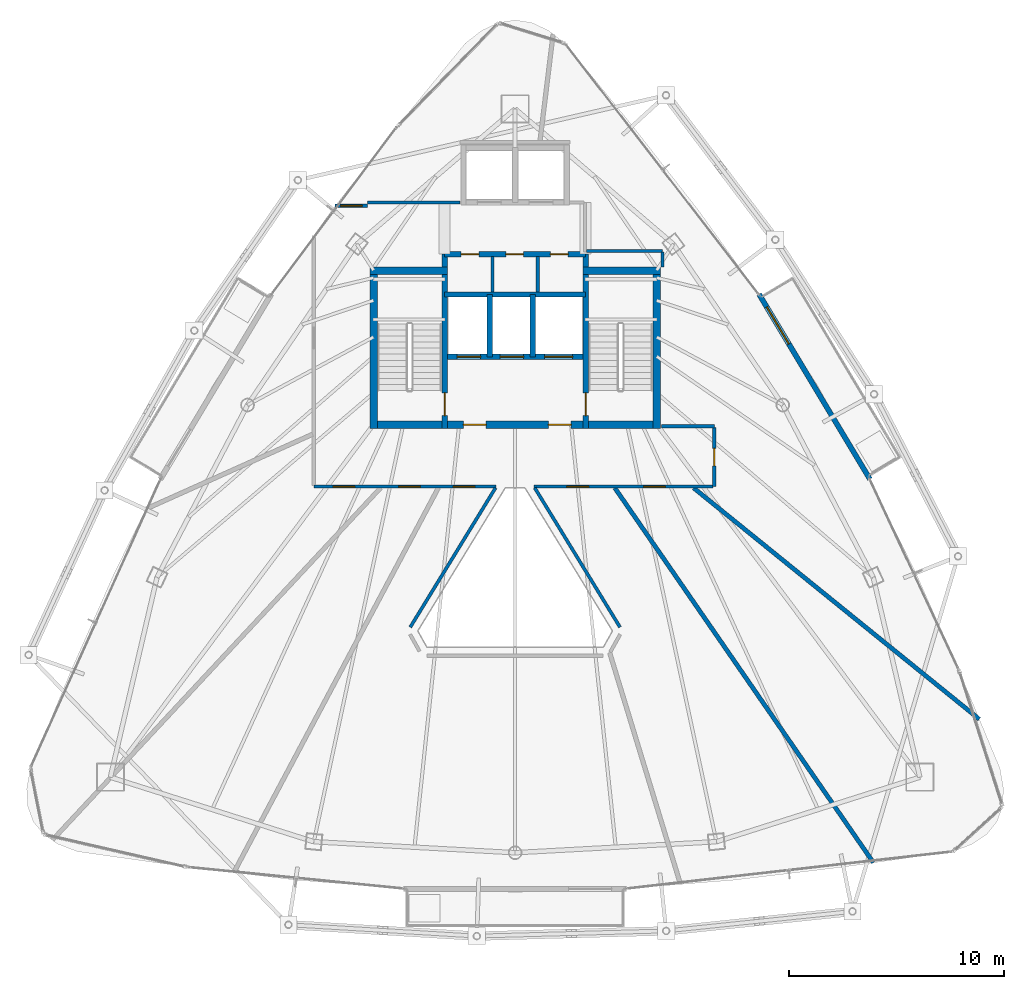
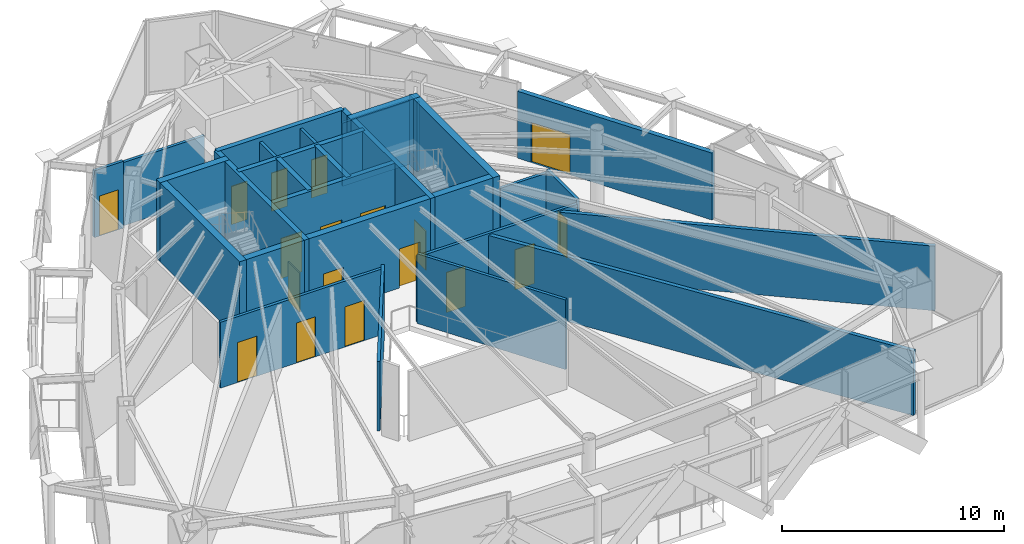
# One storey, part 21 of 25: 27 walls, 18 doors, 18 openings.
"""IFC4 building model written with IfcOpenShell, lengths in metres."""

from ifc_helpers import new_model, si_unit, direction, frame, frame_2d, origin, place, context, subcontext, project, spatial, rectangle, extrude, material, layer, layer_set, type_object, element, fill, save


model = new_model("IFC4")

# Units and contexts
model_context = context("Model", 3, precision=1e-05, world=origin(), true_north=direction((0.0, 1.0)))
body_context = subcontext(model_context, "Body", "Model", "MODEL_VIEW")
ifc_project = project(units=[si_unit("LENGTHUNIT", "METRE"), si_unit("AREAUNIT", "SQUARE_METRE"), si_unit("VOLUMEUNIT", "CUBIC_METRE"), si_unit("PLANEANGLEUNIT", "RADIAN"), si_unit("MASSUNIT", "GRAM", prefix="KILO")], contexts=[model_context])

# Site, building, storey
site_placement = place(None, origin())
site = spatial("IfcSite", under=ifc_project, at=site_placement, CompositionType="ELEMENT")
building_placement = place(site_placement, origin())
building = spatial("IfcBuilding", under=site, at=building_placement, Name="Orvanel Arch Residences", CompositionType="ELEMENT")
storey_placement = place(building_placement, frame((0.0, 0.0, 236.0)))
storey = spatial("IfcBuildingStorey", under=building, at=storey_placement, Name="L67", CompositionType="ELEMENT", Elevation=236.0)

# Wall, opening, door
ifc_material_1 = material(Name="Precast concrete N50 (50 MPa)", Category="concrete")
ifc_layer_1 = layer(ifc_material_1, 0.239990234375)
ifc_layer_set_1 = layer_set([ifc_layer_1], Name="Precast concrete N50 (50 MPa)")
wall_type_1 = type_object("IfcWallType", Name="EW-BAL-240", PredefinedType="SOLIDWALL", material=ifc_layer_set_1)
wall_1_placement = place(storey_placement, frame((49.48095703125, 24.198974609375, 0.0), z_axis=(0.0, 0.0, 1.0), x_axis=(-0.514277033492, 0.857624120942, 0.0)))
wall_1 = element("IfcWall", 1, at=wall_1_placement, inside=storey, type_object=wall_type_1, Name="L67 Balcony Threshold Wall Face 3", PredefinedType="SOLIDWALL", context=body_context, shape_type="SweptSolid", body=[
    extrude(rectangle(XDim=10.013916015625, YDim=0.239990234375, at=frame_2d((5.0068359375, 0.0))), origin(), (0.0, 0.0, 1.0), 3.674072265625),
])
opening_1_placement = place(wall_1_placement, frame((7.31689453125, 0.0, 0.0)))
opening_1 = element("IfcOpeningElement", 2, at=opening_1_placement, cuts=wall_1, Name="Opening DT-200", PredefinedType="OPENING", context=body_context, shape_type="SweptSolid", body=[
    extrude(rectangle(XDim=2.0, YDim=2.199951171875, at=frame_2d((1.0, 1.10009765625))), frame((0.0, 0.1298828125, 0.0), z_axis=(0.0, -1.0, 0.0), x_axis=(1.0, 0.0, 0.0)), (0.0, 0.0, 1.0), 0.260009765625),
])
ifc_material_2 = material(Name="Bronze-anodised aluminium AA6063-T6", Category="aluminium")
door_type_1 = type_object("IfcDoorType", Name="DR-TER-2000", OperationType="NOTDEFINED", PredefinedType="DOOR", material=ifc_material_2)
door_1_placement = place(opening_1_placement, origin())
door_1 = element("IfcDoor", 3, at=door_1_placement, inside=storey, type_object=door_type_1, Name="DR-L67-BAL-F3 L67 Planted Balcony Access Door Face 3", OperationType="SINGLE_SWING_RIGHT", OverallHeight=2.199951171875, OverallWidth=2.0, PredefinedType="DOOR", context=body_context, shape_type="SweptSolid", body=[
    extrude(rectangle(XDim=2.0, YDim=2.199951171875, at=frame_2d((1.0, 1.10009765625))), frame((0.0, 0.02490234375, 0.0), z_axis=(0.0, -1.0, 0.0), x_axis=(1.0, 0.0, 0.0)), (0.0, 0.0, 1.0), 0.050048828125),
])
fill(opening_1, door_1)

ifc_material_3 = material(Name="Concrete N50 (50 MPa)", Category="concrete")
ifc_layer_2 = layer(ifc_material_3, 0.25)
ifc_layer_set_2 = layer_set([ifc_layer_2], Name="Concrete N50 (50 MPa)")
wall_type_2 = type_object("IfcWallType", Name="SW-CORE-250", PredefinedType="SHEAR", material=ifc_layer_set_2)
wall_2_placement = place(storey_placement, frame((29.72509765625, 26.550048828125, 0.0), z_axis=(0.0, 0.0, 1.0), x_axis=(0.0, 1.0, 0.0)))
wall_2 = element("IfcWall", 4, at=wall_2_placement, inside=storey, type_object=wall_type_2, Name="L67 West Inner Core Spine Shear Wall", PredefinedType="SHEAR", context=body_context, shape_type="SweptSolid", body=[
    extrude(rectangle(XDim=8.099853515625, YDim=0.25, at=frame_2d((4.0498046875, 0.0))), origin(), (0.0, 0.0, 1.0), 4.35009765625),
])
opening_2_placement = place(wall_2_placement, frame((0.60009765625, 0.0, 0.0)))
opening_2 = element("IfcOpeningElement", 5, at=opening_2_placement, cuts=wall_2, Name="Opening DF-120", PredefinedType="OPENING", context=body_context, shape_type="SweptSolid", body=[
    extrude(rectangle(XDim=1.050048828125, YDim=2.14990234375, at=frame_2d((0.52490234375, 1.074951171875))), frame((0.0, 0.135009765625, 0.0), z_axis=(0.0, -1.0, 0.0), x_axis=(1.0, 0.0, 0.0)), (0.0, 0.0, 1.0), 0.27001953125),
])
ifc_material_4 = material(Name="Galvanised steel fire-resisting door assembly", Category="steel")
door_type_2 = type_object("IfcDoorType", Name="DR-FD120-1050", OperationType="NOTDEFINED", PredefinedType="DOOR", material=ifc_material_4)
door_2_placement = place(opening_2_placement, origin())
door_2 = element("IfcDoor", 6, at=door_2_placement, inside=storey, type_object=door_type_2, Name="DR-L67-ST1 L67 Stair 1 Fire Door", OperationType="SINGLE_SWING_LEFT", OverallHeight=2.14990234375, OverallWidth=1.050048828125, PredefinedType="DOOR", context=body_context, shape_type="SweptSolid", body=[
    extrude(rectangle(XDim=1.050048828125, YDim=2.14990234375, at=frame_2d((0.52490234375, 1.074951171875))), frame((0.0, 0.02490234375, 0.0), z_axis=(0.0, -1.0, 0.0), x_axis=(1.0, 0.0, 0.0)), (0.0, 0.0, 1.0), 0.050048828125),
])
fill(opening_2, door_2)

wall_3_placement = place(storey_placement, frame((36.27490234375, 26.550048828125, 0.0), z_axis=(0.0, 0.0, 1.0), x_axis=(0.0, 1.0, 0.0)))
wall_3 = element("IfcWall", 7, at=wall_3_placement, inside=storey, type_object=wall_type_2, Name="L67 East Inner Core Spine Shear Wall", PredefinedType="SHEAR", context=body_context, shape_type="SweptSolid", body=[
    extrude(rectangle(XDim=8.099853515625, YDim=0.25, at=frame_2d((4.0498046875, 0.0))), origin(), (0.0, 0.0, 1.0), 4.35009765625),
])
opening_3_placement = place(wall_3_placement, frame((0.60009765625, 0.0, 0.0)))
opening_3 = element("IfcOpeningElement", 8, at=opening_3_placement, cuts=wall_3, Name="Opening DF-120", PredefinedType="OPENING", context=body_context, shape_type="SweptSolid", body=[
    extrude(rectangle(XDim=1.050048828125, YDim=2.14990234375, at=frame_2d((0.52490234375, 1.074951171875))), frame((0.0, 0.135009765625, 0.0), z_axis=(0.0, -1.0, 0.0), x_axis=(1.0, 0.0, 0.0)), (0.0, 0.0, 1.0), 0.27001953125),
])
door_3_placement = place(opening_3_placement, origin())
door_3 = element("IfcDoor", 9, at=door_3_placement, inside=storey, type_object=door_type_2, Name="DR-L67-ST2 L67 Stair 2 Fire Door", OperationType="SINGLE_SWING_RIGHT", OverallHeight=2.14990234375, OverallWidth=1.050048828125, PredefinedType="DOOR", context=body_context, shape_type="SweptSolid", body=[
    extrude(rectangle(XDim=1.050048828125, YDim=2.14990234375, at=frame_2d((0.52490234375, 1.074951171875))), frame((0.0, 0.02490234375, 0.0), z_axis=(0.0, -1.0, 0.0), x_axis=(1.0, 0.0, 0.0)), (0.0, 0.0, 1.0), 0.050048828125),
])
fill(opening_3, door_3)

# Wall, openings, doors
wall_4_placement = place(storey_placement, frame((36.27490234375, 29.875, 0.0), z_axis=(0.0, 0.0, 1.0), x_axis=(-1.0, 0.0, 0.0)))
wall_4 = element("IfcWall", 10, at=wall_4_placement, inside=storey, type_object=wall_type_2, Name="L67 Emergency Lift Front Core Shear Wall", PredefinedType="SHEAR", context=body_context, shape_type="SweptSolid", body=[
    extrude(rectangle(XDim=6.5498046875, YDim=0.25, at=frame_2d((3.27490234375, 0.0))), origin(), (0.0, 0.0, 1.0), 4.35009765625),
])
opening_4_placement = place(wall_4_placement, frame((4.875, 0.0, 0.0)))
opening_4 = element("IfcOpeningElement", 11, at=opening_4_placement, cuts=wall_4, Name="Opening LD-110", PredefinedType="OPENING", context=body_context, shape_type="SweptSolid", body=[
    extrude(rectangle(XDim=1.10009765625, YDim=2.199951171875, at=frame_2d((0.550048828125, 1.10009765625))), frame((0.0, 0.135009765625, 0.0), z_axis=(0.0, -1.0, 0.0), x_axis=(1.0, 0.0, 0.0)), (0.0, 0.0, 1.0), 0.27001953125),
])
opening_5_placement = place(wall_4_placement, frame((2.875, 0.0, 0.0)))
opening_5 = element("IfcOpeningElement", 12, at=opening_5_placement, cuts=wall_4, Name="Opening LD-110", PredefinedType="OPENING", context=body_context, shape_type="SweptSolid", body=[
    extrude(rectangle(XDim=1.10009765625, YDim=2.199951171875, at=frame_2d((0.550048828125, 1.10009765625))), frame((0.0, 0.135009765625, 0.0), z_axis=(0.0, -1.0, 0.0), x_axis=(1.0, 0.0, 0.0)), (0.0, 0.0, 1.0), 0.27001953125),
])
opening_6_placement = place(wall_4_placement, frame((0.60009765625, 0.0, 0.0)))
opening_6 = element("IfcOpeningElement", 13, at=opening_6_placement, cuts=wall_4, Name="Opening LD-130", PredefinedType="OPENING", context=body_context, shape_type="SweptSolid", body=[
    extrude(rectangle(XDim=1.300048828125, YDim=2.199951171875, at=frame_2d((0.64990234375, 1.10009765625))), frame((0.0, 0.135009765625, 0.0), z_axis=(0.0, -1.0, 0.0), x_axis=(1.0, 0.0, 0.0)), (0.0, 0.0, 1.0), 0.27001953125),
])
door_type_3 = type_object("IfcDoorType", Name="DR-LFT-1100", OperationType="NOTDEFINED", PredefinedType="DOOR", material=ifc_material_4)
door_4_placement = place(opening_4_placement, origin())
door_4 = element("IfcDoor", 14, at=door_4_placement, inside=storey, type_object=door_type_3, Name="LD-F1-L67 L67 Lift F1 Sliding Landing Door", OperationType="DOUBLE_DOOR_SLIDING", OverallHeight=2.199951171875, OverallWidth=1.10009765625, PredefinedType="DOOR", context=body_context, shape_type="SweptSolid", body=[
    extrude(rectangle(XDim=1.10009765625, YDim=2.199951171875, at=frame_2d((0.550048828125, 1.10009765625))), frame((0.0, 0.02490234375, 0.0), z_axis=(0.0, -1.0, 0.0), x_axis=(1.0, 0.0, 0.0)), (0.0, 0.0, 1.0), 0.050048828125),
])
fill(opening_4, door_4)
door_5_placement = place(opening_5_placement, origin())
door_5 = element("IfcDoor", 15, at=door_5_placement, inside=storey, type_object=door_type_3, Name="LD-F2-L67 L67 Lift F2 Sliding Landing Door", OperationType="DOUBLE_DOOR_SLIDING", OverallHeight=2.199951171875, OverallWidth=1.10009765625, PredefinedType="DOOR", context=body_context, shape_type="SweptSolid", body=[
    extrude(rectangle(XDim=1.10009765625, YDim=2.199951171875, at=frame_2d((0.550048828125, 1.10009765625))), frame((0.0, 0.02490234375, 0.0), z_axis=(0.0, -1.0, 0.0), x_axis=(1.0, 0.0, 0.0)), (0.0, 0.0, 1.0), 0.050048828125),
])
fill(opening_5, door_5)
door_type_4 = type_object("IfcDoorType", Name="DR-LFT-1300", OperationType="NOTDEFINED", PredefinedType="DOOR", material=ifc_material_4)
door_6_placement = place(opening_6_placement, origin())
door_6 = element("IfcDoor", 16, at=door_6_placement, inside=storey, type_object=door_type_4, Name="LD-G1-L67 L67 Lift G1 Sliding Landing Door", OperationType="DOUBLE_DOOR_SLIDING", OverallHeight=2.199951171875, OverallWidth=1.300048828125, PredefinedType="DOOR", context=body_context, shape_type="SweptSolid", body=[
    extrude(rectangle(XDim=1.300048828125, YDim=2.199951171875, at=frame_2d((0.64990234375, 1.10009765625))), frame((0.0, 0.02490234375, 0.0), z_axis=(0.0, -1.0, 0.0), x_axis=(1.0, 0.0, 0.0)), (0.0, 0.0, 1.0), 0.050048828125),
])
fill(opening_6, door_6)

# Walls
wall_5_placement = place(storey_placement, frame((29.72509765625, 32.77490234375, 0.0), z_axis=(0.0, 0.0, 1.0), x_axis=(1.0, 0.0, 0.0)))
element("IfcWall", 17, at=wall_5_placement, inside=storey, type_object=wall_type_2, Name="L67 Emergency Lift Back Core Shear Wall", PredefinedType="SHEAR", context=body_context, shape_type="SweptSolid", body=[
    extrude(rectangle(XDim=6.5498046875, YDim=0.25, at=frame_2d((3.27490234375, 0.0))), origin(), (0.0, 0.0, 1.0), 4.35009765625),
])
for number, where, z_axis, x_axis, name in (
    (18, (31.824951171875, 29.875, 0.0), (0.0, 0.0, 1.0), (0.0, 1.0, 0.0), "L67 Emergency Lift Inter-Shaft Wall F12"),
    (19, (33.824951171875, 29.875, 0.0), (0.0, 0.0, 1.0), (0.0, 1.0, 0.0), "L67 Emergency Lift Inter-Shaft Wall F2G"),
):
    element("IfcWall", number, at=place(storey_placement, frame(where, z_axis=z_axis, x_axis=x_axis)), inside=storey, type_object=wall_type_2, Name=name, PredefinedType="SHEAR", context=body_context, shape_type="SweptSolid", body=[
        extrude(rectangle(XDim=2.89990234375, YDim=0.25, at=frame_2d((1.449951171875, 0.0))), origin(), (0.0, 0.0, 1.0), 4.35009765625),
    ])

# Wall, openings, doors
wall_6_placement = place(storey_placement, frame((29.72509765625, 34.64990234375, 0.0), z_axis=(0.0, 0.0, 1.0), x_axis=(1.0, 0.0, 0.0)))
wall_6 = element("IfcWall", 20, at=wall_6_placement, inside=storey, type_object=wall_type_2, Name="L67 Core Service Band North Shear Wall", PredefinedType="SHEAR", context=body_context, shape_type="SweptSolid", body=[
    extrude(rectangle(XDim=6.5498046875, YDim=0.25, at=frame_2d((3.27490234375, 0.0))), origin(), (0.0, 0.0, 1.0), 4.35009765625),
])
opening_7_placement = place(wall_6_placement, frame((0.764892578125, 0.0, 0.0)))
opening_7 = element("IfcOpeningElement", 21, at=opening_7_placement, cuts=wall_6, Name="Opening DS-082", PredefinedType="OPENING", context=body_context, shape_type="SweptSolid", body=[
    extrude(rectangle(XDim=0.820068359375, YDim=2.10009765625, at=frame_2d((0.41015625, 1.050048828125))), frame((0.0, 0.135009765625, 0.0), z_axis=(0.0, -1.0, 0.0), x_axis=(1.0, 0.0, 0.0)), (0.0, 0.0, 1.0), 0.27001953125),
])
opening_8_placement = place(wall_6_placement, frame((2.840087890625, 0.0, 0.0)))
opening_8 = element("IfcOpeningElement", 22, at=opening_8_placement, cuts=wall_6, Name="Opening DS-082", PredefinedType="OPENING", context=body_context, shape_type="SweptSolid", body=[
    extrude(rectangle(XDim=0.820068359375, YDim=2.10009765625, at=frame_2d((0.41015625, 1.050048828125))), frame((0.0, 0.135009765625, 0.0), z_axis=(0.0, -1.0, 0.0), x_axis=(1.0, 0.0, 0.0)), (0.0, 0.0, 1.0), 0.27001953125),
])
opening_9_placement = place(wall_6_placement, frame((4.9150390625, 0.0, 0.0)))
opening_9 = element("IfcOpeningElement", 23, at=opening_9_placement, cuts=wall_6, Name="Opening DS-082", PredefinedType="OPENING", context=body_context, shape_type="SweptSolid", body=[
    extrude(rectangle(XDim=0.820068359375, YDim=2.10009765625, at=frame_2d((0.41015625, 1.050048828125))), frame((0.0, 0.135009765625, 0.0), z_axis=(0.0, -1.0, 0.0), x_axis=(1.0, 0.0, 0.0)), (0.0, 0.0, 1.0), 0.27001953125),
])
door_type_5 = type_object("IfcDoorType", Name="DR-SVC-820", OperationType="NOTDEFINED", PredefinedType="DOOR", material=ifc_material_4)
door_7_placement = place(opening_7_placement, origin())
door_7 = element("IfcDoor", 24, at=door_7_placement, inside=storey, type_object=door_type_5, Name="DR-L67-CSVC-1 L67 Housekeeping Store Door", OperationType="SINGLE_SWING_LEFT", OverallHeight=2.10009765625, OverallWidth=0.820068359375, PredefinedType="DOOR", context=body_context, shape_type="SweptSolid", body=[
    extrude(rectangle(XDim=0.820068359375, YDim=2.10009765625, at=frame_2d((0.41015625, 1.050048828125))), frame((0.0, 0.02490234375, 0.0), z_axis=(0.0, -1.0, 0.0), x_axis=(1.0, 0.0, 0.0)), (0.0, 0.0, 1.0), 0.050048828125),
])
fill(opening_7, door_7)
door_8_placement = place(opening_8_placement, origin())
door_8 = element("IfcDoor", 25, at=door_8_placement, inside=storey, type_object=door_type_5, Name="DR-L67-CSVC-2 L67 Cleaner's Store Door", OperationType="SINGLE_SWING_LEFT", OverallHeight=2.10009765625, OverallWidth=0.820068359375, PredefinedType="DOOR", context=body_context, shape_type="SweptSolid", body=[
    extrude(rectangle(XDim=0.820068359375, YDim=2.10009765625, at=frame_2d((0.41015625, 1.050048828125))), frame((0.0, 0.02490234375, 0.0), z_axis=(0.0, -1.0, 0.0), x_axis=(1.0, 0.0, 0.0)), (0.0, 0.0, 1.0), 0.050048828125),
])
fill(opening_8, door_8)
door_9_placement = place(opening_9_placement, origin())
door_9 = element("IfcDoor", 26, at=door_9_placement, inside=storey, type_object=door_type_5, Name="DR-L67-CSVC-3 L67 Comms Riser Store Door", OperationType="SINGLE_SWING_LEFT", OverallHeight=2.10009765625, OverallWidth=0.820068359375, PredefinedType="DOOR", context=body_context, shape_type="SweptSolid", body=[
    extrude(rectangle(XDim=0.820068359375, YDim=2.10009765625, at=frame_2d((0.41015625, 1.050048828125))), frame((0.0, 0.02490234375, 0.0), z_axis=(0.0, -1.0, 0.0), x_axis=(1.0, 0.0, 0.0)), (0.0, 0.0, 1.0), 0.050048828125),
])
fill(opening_9, door_9)

ifc_layer_3 = layer(ifc_material_3, 0.35009765625)
ifc_layer_set_3 = layer_set([ifc_layer_3], Name="Concrete N50 (50 MPa)")
wall_type_3 = type_object("IfcWallType", Name="SW-CORE-350", PredefinedType="SHEAR", material=ifc_layer_set_3)
wall_7_placement = place(storey_placement, frame((26.25, 26.72509765625, 0.0), z_axis=(0.0, 0.0, 1.0), x_axis=(1.0, 0.0, 0.0)))
wall_7 = element("IfcWall", 27, at=wall_7_placement, inside=storey, type_object=wall_type_3, Name="L67 South Core Shear Wall", PredefinedType="SHEAR", context=body_context, shape_type="SweptSolid", body=[
    extrude(rectangle(XDim=13.5, YDim=0.35009765625, at=frame_2d((6.75, 0.0))), origin(), (0.0, 0.0, 1.0), 4.35009765625),
])
opening_10_placement = place(wall_7_placement, frame((4.35009765625, 0.0, 0.0)))
opening_10 = element("IfcOpeningElement", 28, at=opening_10_placement, cuts=wall_7, Name="Opening DF-060", PredefinedType="OPENING", context=body_context, shape_type="SweptSolid", body=[
    extrude(rectangle(XDim=1.050048828125, YDim=2.14990234375, at=frame_2d((0.52490234375, 1.074951171875))), frame((0.0, 0.18505859375, 0.0), z_axis=(0.0, -1.0, 0.0), x_axis=(1.0, 0.0, 0.0)), (0.0, 0.0, 1.0), 0.3701171875),
])
opening_11_placement = place(wall_7_placement, frame((8.300048828125, 0.0, 0.0)))
opening_11 = element("IfcOpeningElement", 29, at=opening_11_placement, cuts=wall_7, Name="Opening DF-060", PredefinedType="OPENING", context=body_context, shape_type="SweptSolid", body=[
    extrude(rectangle(XDim=1.050048828125, YDim=2.14990234375, at=frame_2d((0.52490234375, 1.074951171875))), frame((0.0, 0.18505859375, 0.0), z_axis=(0.0, -1.0, 0.0), x_axis=(1.0, 0.0, 0.0)), (0.0, 0.0, 1.0), 0.3701171875),
])
door_type_6 = type_object("IfcDoorType", Name="DR-FD60-1050", OperationType="NOTDEFINED", PredefinedType="DOOR", material=ifc_material_4)
door_10_placement = place(opening_10_placement, origin())
door_10 = element("IfcDoor", 30, at=door_10_placement, inside=storey, type_object=door_type_6, Name="DR-L67-FFL-W L67 West Smoke Lobby Door", OperationType="SINGLE_SWING_LEFT", OverallHeight=2.14990234375, OverallWidth=1.050048828125, PredefinedType="DOOR", context=body_context, shape_type="SweptSolid", body=[
    extrude(rectangle(XDim=1.050048828125, YDim=2.14990234375, at=frame_2d((0.52490234375, 1.074951171875))), frame((0.0, 0.02490234375, 0.0), z_axis=(0.0, -1.0, 0.0), x_axis=(1.0, 0.0, 0.0)), (0.0, 0.0, 1.0), 0.050048828125),
])
fill(opening_10, door_10)
door_11_placement = place(opening_11_placement, origin())
door_11 = element("IfcDoor", 31, at=door_11_placement, inside=storey, type_object=door_type_6, Name="DR-L67-FFL-E L67 East Smoke Lobby Door", OperationType="SINGLE_SWING_RIGHT", OverallHeight=2.14990234375, OverallWidth=1.050048828125, PredefinedType="DOOR", context=body_context, shape_type="SweptSolid", body=[
    extrude(rectangle(XDim=1.050048828125, YDim=2.14990234375, at=frame_2d((0.52490234375, 1.074951171875))), frame((0.0, 0.02490234375, 0.0), z_axis=(0.0, -1.0, 0.0), x_axis=(1.0, 0.0, 0.0)), (0.0, 0.0, 1.0), 0.050048828125),
])
fill(opening_11, door_11)

# Walls
wall_8_placement = place(storey_placement, frame((26.425048828125, 26.550048828125, 0.0), z_axis=(0.0, 0.0, 1.0), x_axis=(0.0, 1.0, 0.0)))
element("IfcWall", 32, at=wall_8_placement, inside=storey, type_object=wall_type_3, Name="L67 West Stair Shear Wall", PredefinedType="SHEAR", context=body_context, shape_type="SweptSolid", body=[
    extrude(rectangle(XDim=7.5, YDim=0.35009765625, at=frame_2d((3.75, 0.0))), origin(), (0.0, 0.0, 1.0), 4.35009765625),
])
wall_9_placement = place(storey_placement, frame((26.25, 33.875, 0.0), z_axis=(0.0, 0.0, 1.0), x_axis=(1.0, 0.0, 0.0)))
element("IfcWall", 33, at=wall_9_placement, inside=storey, type_object=wall_type_3, Name="L67 West Stair North Shear Wall", PredefinedType="SHEAR", context=body_context, shape_type="SweptSolid", body=[
    extrude(rectangle(XDim=3.60009765625, YDim=0.35009765625, at=frame_2d((1.800048828125, 0.0))), origin(), (0.0, 0.0, 1.0), 4.35009765625),
])
wall_10_placement = place(storey_placement, frame((39.574951171875, 26.550048828125, 0.0), z_axis=(0.0, 0.0, 1.0), x_axis=(0.0, 1.0, 0.0)))
element("IfcWall", 34, at=wall_10_placement, inside=storey, type_object=wall_type_3, Name="L67 East Stair Shear Wall", PredefinedType="SHEAR", context=body_context, shape_type="SweptSolid", body=[
    extrude(rectangle(XDim=7.5, YDim=0.35009765625, at=frame_2d((3.75, 0.0))), origin(), (0.0, 0.0, 1.0), 4.35009765625),
])
wall_11_placement = place(storey_placement, frame((36.14990234375, 33.875, 0.0), z_axis=(0.0, 0.0, 1.0), x_axis=(1.0, 0.0, 0.0)))
element("IfcWall", 35, at=wall_11_placement, inside=storey, type_object=wall_type_3, Name="L67 East Stair North Shear Wall", PredefinedType="SHEAR", context=body_context, shape_type="SweptSolid", body=[
    extrude(rectangle(XDim=3.60009765625, YDim=0.35009765625, at=frame_2d((1.800048828125, 0.0))), origin(), (0.0, 0.0, 1.0), 4.35009765625),
])

# Wall, openings, doors
ifc_material_5 = material(Name="Fire-rated plasterboard lined steel stud partition", Category="steel")
ifc_layer_4 = layer(ifc_material_5, 0.14990234375)
ifc_layer_set_4 = layer_set([ifc_layer_4], Name="Fire-rated plasterboard lined steel stud partition")
wall_type_4 = type_object("IfcWallType", Name="W-COR-150", PredefinedType="PARTITIONING", material=ifc_layer_set_4)
wall_12_placement = place(storey_placement, frame((32.117919921875, 23.85009765625, 0.0), z_axis=(0.0, 0.0, 1.0), x_axis=(-1.0, 0.0, 0.0)))
wall_12 = element("IfcWall", 36, at=wall_12_placement, inside=storey, type_object=wall_type_4, Name="L67 Community Corridor Wall", PredefinedType="PARTITIONING", context=body_context, shape_type="SweptSolid", body=[
    extrude(rectangle(XDim=8.468017578125, YDim=0.14990234375, at=frame_2d((4.23388671875, 0.0))), origin(), (0.0, 0.0, 1.0), 3.614990234375),
])
opening_12_placement = place(wall_12_placement, frame((0.991943359375, 0.0, 0.0)))
opening_12 = element("IfcOpeningElement", 37, at=opening_12_placement, cuts=wall_12, Name="Opening DP-100", PredefinedType="OPENING", context=body_context, shape_type="SweptSolid", body=[
    extrude(rectangle(XDim=1.0, YDim=2.199951171875, at=frame_2d((0.5, 1.10009765625))), frame((0.0, 0.0849609375, 0.0), z_axis=(0.0, -1.0, 0.0), x_axis=(1.0, 0.0, 0.0)), (0.0, 0.0, 1.0), 0.169921875),
])
opening_13_placement = place(wall_12_placement, frame((3.52490234375, 0.0, 0.0)))
opening_13 = element("IfcOpeningElement", 38, at=opening_13_placement, cuts=wall_12, Name="Opening DP-100", PredefinedType="OPENING", context=body_context, shape_type="SweptSolid", body=[
    extrude(rectangle(XDim=1.0, YDim=2.199951171875, at=frame_2d((0.5, 1.10009765625))), frame((0.0, 0.0849609375, 0.0), z_axis=(0.0, -1.0, 0.0), x_axis=(1.0, 0.0, 0.0)), (0.0, 0.0, 1.0), 0.169921875),
])
opening_14_placement = place(wall_12_placement, frame((6.574951171875, 0.0, 0.0)))
opening_14 = element("IfcOpeningElement", 39, at=opening_14_placement, cuts=wall_12, Name="Opening DP-100", PredefinedType="OPENING", context=body_context, shape_type="SweptSolid", body=[
    extrude(rectangle(XDim=1.0, YDim=2.199951171875, at=frame_2d((0.5, 1.10009765625))), frame((0.0, 0.0849609375, 0.0), z_axis=(0.0, -1.0, 0.0), x_axis=(1.0, 0.0, 0.0)), (0.0, 0.0, 1.0), 0.169921875),
])
ifc_material_6 = material(Name="Solid-core European oak veneer fire door leaf", Category="wood")
door_type_7 = type_object("IfcDoorType", Name="DR-POD-1000", OperationType="NOTDEFINED", PredefinedType="DOOR", material=ifc_material_6)
door_12_placement = place(opening_12_placement, origin())
door_12 = element("IfcDoor", 40, at=door_12_placement, inside=storey, type_object=door_type_7, Name="DR-L67-KIT-1 L67 Atelier Pantry Kitchen Door", OperationType="SINGLE_SWING_LEFT", OverallHeight=2.199951171875, OverallWidth=1.0, PredefinedType="DOOR", context=body_context, shape_type="SweptSolid", body=[
    extrude(rectangle(XDim=1.0, YDim=2.199951171875, at=frame_2d((0.5, 1.10009765625))), frame((0.0, 0.02490234375, 0.0), z_axis=(0.0, -1.0, 0.0), x_axis=(1.0, 0.0, 0.0)), (0.0, 0.0, 1.0), 0.050048828125),
])
fill(opening_12, door_12)
door_13_placement = place(opening_13_placement, origin())
door_13 = element("IfcDoor", 41, at=door_13_placement, inside=storey, type_object=door_type_7, Name="DR-L67-STR-4 L67 Archive Collection Store Door", OperationType="SINGLE_SWING_LEFT", OverallHeight=2.199951171875, OverallWidth=1.0, PredefinedType="DOOR", context=body_context, shape_type="SweptSolid", body=[
    extrude(rectangle(XDim=1.0, YDim=2.199951171875, at=frame_2d((0.5, 1.10009765625))), frame((0.0, 0.02490234375, 0.0), z_axis=(0.0, -1.0, 0.0), x_axis=(1.0, 0.0, 0.0)), (0.0, 0.0, 1.0), 0.050048828125),
])
fill(opening_13, door_13)
door_14_placement = place(opening_14_placement, origin())
door_14 = element("IfcDoor", 42, at=door_14_placement, inside=storey, type_object=door_type_7, Name="DR-L67-RET-6 L67 Artisan Craft Showroom Door", OperationType="SINGLE_SWING_LEFT", OverallHeight=2.199951171875, OverallWidth=1.0, PredefinedType="DOOR", context=body_context, shape_type="SweptSolid", body=[
    extrude(rectangle(XDim=1.0, YDim=2.199951171875, at=frame_2d((0.5, 1.10009765625))), frame((0.0, 0.02490234375, 0.0), z_axis=(0.0, -1.0, 0.0), x_axis=(1.0, 0.0, 0.0)), (0.0, 0.0, 1.0), 0.050048828125),
])
fill(opening_14, door_14)

# Wall, opening, door
wall_13_placement = place(storey_placement, frame((24.635986328125, 36.89990234375, 0.0), z_axis=(0.0, 0.0, 1.0), x_axis=(1.0, 0.0, 0.0)))
wall_13 = element("IfcWall", 43, at=wall_13_placement, inside=storey, type_object=wall_type_4, Name="L67 Community Corridor Wall", PredefinedType="PARTITIONING", context=body_context, shape_type="SweptSolid", body=[
    extrude(rectangle(XDim=1.513916015625, YDim=0.14990234375, at=frame_2d((0.7568359375, 0.0))), origin(), (0.0, 0.0, 1.0), 3.6689453125),
])
opening_15_placement = place(wall_13_placement, frame((0.257080078125, 0.0, 0.0)))
opening_15 = element("IfcOpeningElement", 44, at=opening_15_placement, cuts=wall_13, Name="Opening DP-100", PredefinedType="OPENING", context=body_context, shape_type="SweptSolid", body=[
    extrude(rectangle(XDim=1.0, YDim=2.199951171875, at=frame_2d((0.5, 1.10009765625))), frame((0.0, 0.0849609375, 0.0), z_axis=(0.0, -1.0, 0.0), x_axis=(1.0, 0.0, 0.0)), (0.0, 0.0, 1.0), 0.169921875),
])
door_15_placement = place(opening_15_placement, origin())
door_15 = element("IfcDoor", 45, at=door_15_placement, inside=storey, type_object=door_type_7, Name="DR-L67-CAR-3 L67 Wellness Consulting Suite Door", OperationType="SINGLE_SWING_LEFT", OverallHeight=2.199951171875, OverallWidth=1.0, PredefinedType="DOOR", context=body_context, shape_type="SweptSolid", body=[
    extrude(rectangle(XDim=1.0, YDim=2.199951171875, at=frame_2d((0.5, 1.10009765625))), frame((0.0, 0.02490234375, 0.0), z_axis=(0.0, -1.0, 0.0), x_axis=(1.0, 0.0, 0.0)), (0.0, 0.0, 1.0), 0.050048828125),
])
fill(opening_15, door_15)

# Wall
wall_14_placement = place(storey_placement, frame((39.7900390625, 26.64990234375, 0.0), z_axis=(0.0, 0.0, 1.0), x_axis=(1.0, 0.0, 0.0)))
element("IfcWall", 46, at=wall_14_placement, inside=storey, type_object=wall_type_4, Name="L67 Community Corridor Wall", PredefinedType="PARTITIONING", context=body_context, shape_type="SweptSolid", body=[
    extrude(rectangle(XDim=2.4599609375, YDim=0.14990234375, at=frame_2d((1.22998046875, 0.0))), origin(), (0.0, 0.0, 1.0), 3.614990234375),
])

# Wall, opening, door
wall_15_placement = place(storey_placement, frame((42.25, 26.590087890625, 0.0), z_axis=(0.0, 0.0, 1.0), x_axis=(0.0, -1.0, 0.0)))
wall_15 = element("IfcWall", 47, at=wall_15_placement, inside=storey, type_object=wall_type_4, Name="L67 Community Corridor Wall", PredefinedType="PARTITIONING", context=body_context, shape_type="SweptSolid", body=[
    extrude(rectangle(XDim=2.739990234375, YDim=0.14990234375, at=frame_2d((1.3701171875, 0.0))), origin(), (0.0, 0.0, 1.0), 3.822998046875),
])
opening_16_placement = place(wall_15_placement, frame((0.9599609375, 0.0, 0.0)))
opening_16 = element("IfcOpeningElement", 48, at=opening_16_placement, cuts=wall_15, Name="Opening DW-082", PredefinedType="OPENING", context=body_context, shape_type="SweptSolid", body=[
    extrude(rectangle(XDim=0.820068359375, YDim=2.10009765625, at=frame_2d((0.41015625, 1.050048828125))), frame((0.0, 0.0849609375, 0.0), z_axis=(0.0, -1.0, 0.0), x_axis=(1.0, 0.0, 0.0)), (0.0, 0.0, 1.0), 0.169921875),
])
door_type_8 = type_object("IfcDoorType", Name="DR-WET-820", OperationType="NOTDEFINED", PredefinedType="DOOR", material=ifc_material_6)
door_16_placement = place(opening_16_placement, origin())
door_16 = element("IfcDoor", 49, at=door_16_placement, inside=storey, type_object=door_type_8, Name="DR-L67-WC-0 L67 Accessible Restrooms Door", OperationType="SINGLE_SWING_LEFT", OverallHeight=2.10009765625, OverallWidth=0.820068359375, PredefinedType="DOOR", context=body_context, shape_type="SweptSolid", body=[
    extrude(rectangle(XDim=0.820068359375, YDim=2.10009765625, at=frame_2d((0.41015625, 1.050048828125))), frame((0.0, 0.02490234375, 0.0), z_axis=(0.0, -1.0, 0.0), x_axis=(1.0, 0.0, 0.0)), (0.0, 0.0, 1.0), 0.050048828125),
])
fill(opening_16, door_16)

# Wall, openings, doors
wall_16_placement = place(storey_placement, frame((42.18994140625, 23.85009765625, 0.0), z_axis=(0.0, 0.0, 1.0), x_axis=(-1.0, 0.0, 0.0)))
wall_16 = element("IfcWall", 50, at=wall_16_placement, inside=storey, type_object=wall_type_4, Name="L67 Community Corridor Wall", PredefinedType="PARTITIONING", context=body_context, shape_type="SweptSolid", body=[
    extrude(rectangle(XDim=8.307861328125, YDim=0.14990234375, at=frame_2d((4.15380859375, 0.0))), origin(), (0.0, 0.0, 1.0), 3.614990234375),
])
opening_17_placement = place(wall_16_placement, frame((5.781005859375, 0.0, 0.0)))
opening_17 = element("IfcOpeningElement", 51, at=opening_17_placement, cuts=wall_16, Name="Opening DP-100", PredefinedType="OPENING", context=body_context, shape_type="SweptSolid", body=[
    extrude(rectangle(XDim=1.0, YDim=2.199951171875, at=frame_2d((0.5, 1.10009765625))), frame((0.0, 0.0849609375, 0.0), z_axis=(0.0, -1.0, 0.0), x_axis=(1.0, 0.0, 0.0)), (0.0, 0.0, 1.0), 0.169921875),
])
opening_18_placement = place(wall_16_placement, frame((2.221923828125, 0.0, 0.0)))
opening_18 = element("IfcOpeningElement", 52, at=opening_18_placement, cuts=wall_16, Name="Opening DP-100", PredefinedType="OPENING", context=body_context, shape_type="SweptSolid", body=[
    extrude(rectangle(XDim=1.0, YDim=2.199951171875, at=frame_2d((0.5, 1.10009765625))), frame((0.0, 0.0849609375, 0.0), z_axis=(0.0, -1.0, 0.0), x_axis=(1.0, 0.0, 0.0)), (0.0, 0.0, 1.0), 0.169921875),
])
door_17_placement = place(opening_17_placement, origin())
door_17 = element("IfcDoor", 53, at=door_17_placement, inside=storey, type_object=door_type_7, Name="DR-L67-LNG-5 L67 Resident Horizon Lounge Door", OperationType="SINGLE_SWING_LEFT", OverallHeight=2.199951171875, OverallWidth=1.0, PredefinedType="DOOR", context=body_context, shape_type="SweptSolid", body=[
    extrude(rectangle(XDim=1.0, YDim=2.199951171875, at=frame_2d((0.5, 1.10009765625))), frame((0.0, 0.02490234375, 0.0), z_axis=(0.0, -1.0, 0.0), x_axis=(1.0, 0.0, 0.0)), (0.0, 0.0, 1.0), 0.050048828125),
])
fill(opening_17, door_17)
door_18_placement = place(opening_18_placement, origin())
door_18 = element("IfcDoor", 54, at=door_18_placement, inside=storey, type_object=door_type_7, Name="DR-L67-LIB-7 L67 Resident Reference Library Door", OperationType="SINGLE_SWING_LEFT", OverallHeight=2.199951171875, OverallWidth=1.0, PredefinedType="DOOR", context=body_context, shape_type="SweptSolid", body=[
    extrude(rectangle(XDim=1.0, YDim=2.199951171875, at=frame_2d((0.5, 1.10009765625))), frame((0.0, 0.02490234375, 0.0), z_axis=(0.0, -1.0, 0.0), x_axis=(1.0, 0.0, 0.0)), (0.0, 0.0, 1.0), 0.050048828125),
])
fill(opening_18, door_18)

# Walls
wall_17_placement = place(storey_placement, frame((26.14990234375, 37.050048828125, 0.0), z_axis=(0.0, 0.0, 1.0), x_axis=(1.0, 0.0, 0.0)))
element("IfcWall", 55, at=wall_17_placement, inside=storey, type_object=wall_type_4, Name="L67 Core Perimeter Wall", PredefinedType="PARTITIONING", context=body_context, shape_type="SweptSolid", body=[
    extrude(rectangle(XDim=4.300048828125, YDim=0.14990234375, at=frame_2d((2.14990234375, 0.0))), origin(), (0.0, 0.0, 1.0), 3.47509765625),
])
wall_18_placement = place(storey_placement, frame((36.31005859375, 34.800048828125, 0.0), z_axis=(0.0, 0.0, 1.0), x_axis=(1.0, 0.0, 0.0)))
element("IfcWall", 56, at=wall_18_placement, inside=storey, type_object=wall_type_4, Name="L67 Core Perimeter Wall", PredefinedType="PARTITIONING", context=body_context, shape_type="SweptSolid", body=[
    extrude(rectangle(XDim=3.5400390625, YDim=0.14990234375, at=frame_2d((1.77001953125, 0.0))), origin(), (0.0, 0.0, 1.0), 3.47509765625),
])
wall_19_placement = place(storey_placement, frame((39.85009765625, 34.739990234375, 0.0), z_axis=(0.0, 0.0, 1.0), x_axis=(0.0, -1.0, 0.0)))
element("IfcWall", 57, at=wall_19_placement, inside=storey, type_object=wall_type_4, Name="L67 Core Perimeter Wall", PredefinedType="PARTITIONING", context=body_context, shape_type="SweptSolid", body=[
    extrude(rectangle(XDim=0.68994140625, YDim=0.14990234375, at=frame_2d((0.344970703125, 0.0))), origin(), (0.0, 0.0, 1.0), 3.822998046875),
])
for number, where, z_axis, x_axis, name in (
    (58, (33.912109375, 23.7900390625, 0.0), (0.0, 0.0, 1.0), (0.522034417528, -0.852924420401, 0.0), "L67 Atrium Glazed Wall"),
    (59, (28.1279296875, 17.320068359375, 0.0), (0.0, 0.0, 1.0), (0.522034417528, 0.852924420401, 0.0), "L67 Atrium Glazed Wall"),
):
    element("IfcWall", number, at=place(storey_placement, frame(where, z_axis=z_axis, x_axis=x_axis)), inside=storey, type_object=wall_type_4, Name=name, PredefinedType="PARTITIONING", context=body_context, shape_type="SweptSolid", body=[
        extrude(rectangle(XDim=7.585693359375, YDim=0.14990234375, at=frame_2d((3.79296875, 0.0))), origin(), (0.0, 0.0, 1.0), 3.822998046875),
    ])
ifc_layer_5 = layer(ifc_material_5, 0.199951171875)
ifc_layer_set_5 = layer_set([ifc_layer_5], Name="Fire-rated plasterboard lined steel stud partition")
wall_type_5 = type_object("IfcWallType", Name="W-DEM-200", PredefinedType="PARTITIONING", material=ifc_layer_set_5)
wall_20_placement = place(storey_placement, frame((54.56201171875, 13.048095703125, 0.0), z_axis=(0.0, 0.0, 1.0), x_axis=(-0.777280500144, 0.629154213287, 0.0)))
element("IfcWall", 60, at=wall_20_placement, inside=storey, type_object=wall_type_5, Name="L67 Amenity Wall", PredefinedType="PARTITIONING", context=body_context, shape_type="SweptSolid", body=[
    extrude(rectangle(XDim=17.07373046875, YDim=0.199951171875, at=frame_2d((8.536865234375, 0.0))), origin(), (0.0, 0.0, 1.0), 3.5419921875),
])
wall_21_placement = place(storey_placement, frame((49.64111328125, 6.386962890625, 0.0), z_axis=(0.0, 0.0, 1.0), x_axis=(-0.56798574234, 0.823038393089, 0.0)))
element("IfcWall", 61, at=wall_21_placement, inside=storey, type_object=wall_type_5, Name="L67 Amenity Wall", PredefinedType="PARTITIONING", context=body_context, shape_type="SweptSolid", body=[
    extrude(rectangle(XDim=21.14501953125, YDim=0.199951171875, at=frame_2d((10.572509765625, 0.0))), origin(), (0.0, 0.0, 1.0), 3.5419921875),
])
ifc_layer_6 = layer(ifc_material_5, 0.14990234375)
ifc_layer_set_6 = layer_set([ifc_layer_6], Name="Fire-rated plasterboard lined steel stud partition")
wall_type_6 = type_object("IfcWallType", Name="W-ST-150", PredefinedType="PARTITIONING", material=ifc_layer_set_6)
for number, where, z_axis, x_axis, name in (
    (62, (31.949951171875, 32.885009765625, 0.0), (0.0, 0.0, 1.0), (0.0, 1.0, 0.0), "L67 Core Service Partition 1"),
    (63, (34.050048828125, 32.885009765625, 0.0), (0.0, 0.0, 1.0), (0.0, 1.0, 0.0), "L67 Core Service Partition 2"),
):
    element("IfcWall", number, at=place(storey_placement, frame(where, z_axis=z_axis, x_axis=x_axis)), inside=storey, type_object=wall_type_6, Name=name, PredefinedType="PARTITIONING", context=body_context, shape_type="SweptSolid", body=[
        extrude(rectangle(XDim=1.655029296875, YDim=0.14990234375, at=frame_2d((0.82763671875, 0.0))), origin(), (0.0, 0.0, 1.0), 4.110107421875),
    ])

save(model, "model.ifc")
